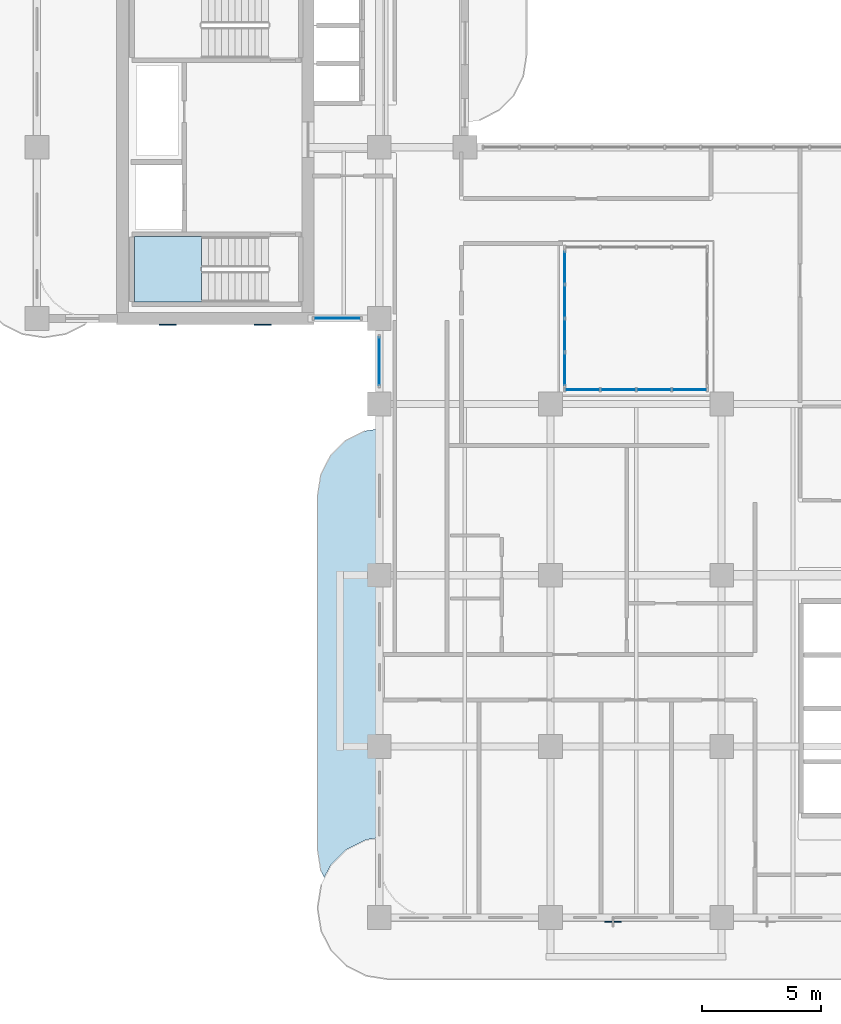
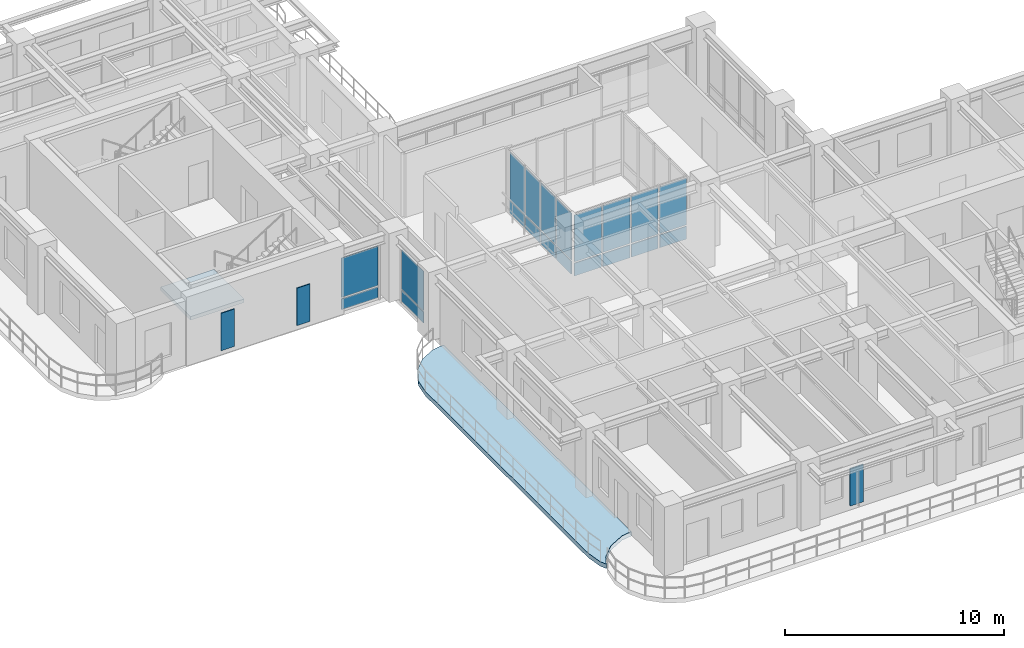
# One storey, part 7 of 21: 23 plates, 2 slabs, 5 elements without a shape of their own.
"""IFC4 building model written with IfcOpenShell, lengths in metres."""

from ifc_helpers import new_model, si_unit, derived_unit, direction, frame, origin, origin_2d, place, context, subcontext, project, spatial, polyline, rectangle, outline, extrude, source, transform, mapped, material, layer, layer_set, type_object, type_shapes, element, aggregate, save


model = new_model("IFC4")

# Units and contexts
model_context = context("Model", 3, precision=1e-05, world=origin(), true_north=direction((0.0, 1.0)))
body_context = subcontext(model_context, "Body", "Model", "MODEL_VIEW")
ifc_project = project(units=[si_unit("LENGTHUNIT", "METRE"), si_unit("AREAUNIT", "SQUARE_METRE"), si_unit("VOLUMEUNIT", "CUBIC_METRE"), si_unit("PLANEANGLEUNIT", "RADIAN"), si_unit("MASSUNIT", "GRAM", prefix="KILO"), si_unit("THERMODYNAMICTEMPERATUREUNIT", "KELVIN"), si_unit("POWERUNIT", "WATT"), derived_unit("THERMALTRANSMITTANCEUNIT", [(si_unit("POWERUNIT", "WATT"), 1), (si_unit("AREAUNIT", "SQUARE_METRE"), -1), (si_unit("THERMODYNAMICTEMPERATUREUNIT", "KELVIN"), -1)])], contexts=[model_context])

# Site, building, storey
site_placement = place(None, origin())
site = spatial("IfcSite", under=ifc_project, at=site_placement, CompositionType="ELEMENT")
building_placement = place(site_placement, origin())
building = spatial("IfcBuilding", under=site, at=building_placement, Name="Zahravan Archway Hotel and Residences", CompositionType="ELEMENT")
storey_placement = place(building_placement, frame((0.0, 0.0, 169.550048828125)))
storey = spatial("IfcBuildingStorey", under=building, at=storey_placement, Name="L42", CompositionType="ELEMENT", Elevation=169.550048828125)

# Slab
ifc_material_1 = material(Name="Concrete C45/55", Category="concrete")
ifc_layer_1 = layer(ifc_material_1, 0.25, Name="Concrete C45/55", Category="concrete")
ifc_layer_set_1 = layer_set([ifc_layer_1], Name="Concrete C45/55")
slab_type_1 = type_object("IfcSlabType", Name="SLB-BALC-250", PredefinedType="FLOOR", material=ifc_layer_set_1)
slab_1_placement = place(storey_placement, frame((0.0, 0.0, -0.25)))
element("IfcSlab", 1, at=slab_1_placement, inside=storey, type_object=slab_type_1, Name="L42 Wing A West Rounded Balcony Band", PredefinedType="FLOOR", context=body_context, shape_type="SweptSolid", body=[
    extrude(outline(polyline([(11.939453125, 1.96923828125), (11.800048828125, 2.85009765625), (11.800048828125, 17.75), (11.939453125, 18.630615234375), (12.34423828125, 19.42529296875), (12.974853515625, 20.0556640625), (13.769287109375, 20.46044921875), (14.3798828125, 20.55712890625), (14.3798828125, 3.361328125), (14.37890625, 3.361328125), (14.376953125, 3.361083984375), (13.835205078125, 3.275390625), (13.833251953125, 3.27490234375), (13.831298828125, 3.2744140625), (13.829345703125, 3.2734375), (13.0068359375, 2.8544921875), (13.005126953125, 2.853515625), (13.00341796875, 2.85205078125), (13.001953125, 2.8505859375), (12.349365234375, 2.197998046875), (12.347900390625, 2.196533203125), (12.3466796875, 2.19482421875), (12.345703125, 2.193115234375), (12.08544921875, 1.6826171875), (11.939453125, 1.96923828125)])), origin(), (0.0, 0.0, 1.0), 0.25),
])

# Stair, slab
ifc_material_2 = material(Name="Concrete C50/60", Category="concrete")
stair_type = type_object("IfcStairType", Name="STR-CORE-1300", PredefinedType="HALF_TURN_STAIR", material=ifc_material_2)
stair_placement = place(storey_placement, origin())
stair = element("IfcStair", 2, at=stair_placement, inside=storey, type_object=stair_type, Name="L42 Core B Exit Stair 1", PredefinedType="HALF_TURN_STAIR")
ifc_layer_2 = layer(ifc_material_2, 0.199951171875, Name="Concrete C50/60", Category="concrete")
ifc_layer_set_2 = layer_set([ifc_layer_2], Name="Concrete C50/60")
slab_type_2 = type_object("IfcSlabType", Name="SLB-LND-200", PredefinedType="LANDING", material=ifc_layer_set_2)
slab_2_placement = place(storey_placement, frame((0.0, 0.0, 1.724853515625)))
slab_2 = element("IfcSlab", 3, at=slab_2_placement, type_object=slab_type_2, Name="ST-B1 landing 1", PredefinedType="LANDING", context=body_context, shape_type="SweptSolid", body=[
    extrude(outline(polyline([(6.929931640625, 28.639892578125), (4.10009765625, 28.639892578125), (4.10009765625, 25.89990234375), (6.929931640625, 25.89990234375), (6.929931640625, 28.639892578125)])), origin(), (0.0, 0.0, 1.0), 0.2001953125),
])
aggregate(stair, [slab_2])

# Plates
ifc_material_3 = material(Name="Perforated Cast Bronze Jali Lattice")
ifc_layer_3 = layer(ifc_material_3, 0.044921875, Name="Perforated Cast Bronze Jali Lattice")
ifc_layer_set_3 = layer_set([ifc_layer_3], Name="Perforated Cast Bronze Jali Lattice")
plate_type_1 = type_object("IfcPlateType", Name="PLT-JALI-BAY", PredefinedType="USERDEFINED", material=ifc_layer_set_3)
shared_shape_1 = source(origin(), body_context, "Body", "SweptSolid", [
    extrude(rectangle(XDim=0.699951171875, YDim=0.044921875, at=origin_2d()), origin(), (0.0, 0.0, 1.0), 2.10009765625),
])
type_shapes(plate_type_1, [shared_shape_1])
for number, where, z_axis, x_axis, name in (
    (4, (5.5, 24.931884765625, 0.25), (0.0, 0.0, 1.0), (1.0, 0.0, 0.0), "L42 Core B South Mughal Jali Screen 1"),
    (5, (9.5, 24.931884765625, 0.25), (0.0, 0.0, 1.0), (1.0, 0.0, 0.0), "L42 Core B South Mughal Jali Screen 2"),
    (6, (24.22802734375, -0.177978515625, 0.25), (0.0, 0.0, 1.0), (1.0, 0.0, 0.0), "L42 Perforated Bronze Jali Pier Screen 01"),
):
    element("IfcPlate", number, at=place(storey_placement, frame(where, z_axis=z_axis, x_axis=x_axis)), inside=storey, type_object=plate_type_1, Name=name, ObjectType="SCREEN", PredefinedType="USERDEFINED", context=body_context, shape_type="MappedRepresentation", body=[
        mapped(shared_shape_1, transform((0.0, 0.0, 0.0), scale=1.0)),
    ])

# Curtain wall, plates
ifc_material_4 = material(Name="Bronze-Anodized Unitised Aluminium & Low-E Glass", Category="aluminium")
ifc_layer_4 = layer(ifc_material_4, 0.179931640625, Name="Bronze-Anodized Unitised Aluminium & Low-E Glass", Category="aluminium")
ifc_layer_set_4 = layer_set([ifc_layer_4], Name="Bronze-Anodized Unitised Aluminium & Low-E Glass")
curtain_wall_type = type_object("IfcCurtainWallType", Name="CW-ATR-GLAZ", PredefinedType="NOTDEFINED", material=ifc_layer_set_4)
curtain_wall_1_placement = place(storey_placement, origin())
curtain_wall_1 = element("IfcCurtainWall", 7, at=curtain_wall_1_placement, inside=storey, type_object=curtain_wall_type, Name="L42 Curtain Wall CW-ATR-L42-S-1", PredefinedType="NOTDEFINED")
ifc_material_5 = material(Name="Insulated Terracotta Spandrel Panel", Category="masonry")
ifc_layer_5 = layer(ifc_material_5, 0.0400390625, Name="Insulated Terracotta Spandrel Panel", Category="masonry")
ifc_layer_set_5 = layer_set([ifc_layer_5], Name="Insulated Terracotta Spandrel Panel")
plate_type_2 = type_object("IfcPlateType", Name="CWP-SPN-40", PredefinedType="SHEET", material=ifc_layer_set_5)
shared_shape_2 = source(origin(), body_context, "Body", "SweptSolid", [
    extrude(rectangle(XDim=1.419921875, YDim=0.0400390625, at=origin_2d()), origin(), (0.0, 0.0, 1.0), 0.7099609375),
])
plate_1_placement = place(storey_placement, frame((22.949951171875, 22.199951171875, 0.099853515625), z_axis=(0.0, 0.0, 1.0), x_axis=(1.0, 0.0, 0.0)))
plate_1 = element("IfcPlate", 8, at=plate_1_placement, type_object=plate_type_2, Name="CW-ATR-L42-S-1 Spandrel Panel 0", PredefinedType="SHEET", context=body_context, shape_type="MappedRepresentation", body=[
    mapped(shared_shape_2, transform((0.0, 0.0, 0.0), scale=1.0)),
])
plate_2_placement = place(storey_placement, frame((24.449951171875, 22.199951171875, 0.099853515625), z_axis=(0.0, 0.0, 1.0), x_axis=(1.0, 0.0, 0.0)))
plate_2 = element("IfcPlate", 9, at=plate_2_placement, type_object=plate_type_2, Name="CW-ATR-L42-S-1 Spandrel Panel 1", PredefinedType="SHEET", context=body_context, shape_type="MappedRepresentation", body=[
    mapped(shared_shape_2, transform((0.0, 0.0, 0.0), scale=1.0)),
])
plate_3_placement = place(storey_placement, frame((25.949951171875, 22.199951171875, 0.099853515625), z_axis=(0.0, 0.0, 1.0), x_axis=(1.0, 0.0, 0.0)))
plate_3 = element("IfcPlate", 10, at=plate_3_placement, type_object=plate_type_2, Name="CW-ATR-L42-S-1 Spandrel Panel 2", PredefinedType="SHEET", context=body_context, shape_type="MappedRepresentation", body=[
    mapped(shared_shape_2, transform((0.0, 0.0, 0.0), scale=1.0)),
])
plate_4_placement = place(storey_placement, frame((27.449951171875, 22.199951171875, 0.099853515625), z_axis=(0.0, 0.0, 1.0), x_axis=(1.0, 0.0, 0.0)))
plate_4 = element("IfcPlate", 11, at=plate_4_placement, type_object=plate_type_2, Name="CW-ATR-L42-S-1 Spandrel Panel 3", PredefinedType="SHEET", context=body_context, shape_type="MappedRepresentation", body=[
    mapped(shared_shape_2, transform((0.0, 0.0, 0.0), scale=1.0)),
])

curtain_wall_2_placement = place(storey_placement, origin())
curtain_wall_2 = element("IfcCurtainWall", 12, at=curtain_wall_2_placement, inside=storey, type_object=curtain_wall_type, Name="L42 Curtain Wall CW-ATR-L42-W-1", PredefinedType="NOTDEFINED")
shared_shape_3 = source(origin(), body_context, "Body", "SweptSolid", [
    extrude(rectangle(XDim=1.344970703125, YDim=0.0400390625, at=origin_2d()), origin(), (0.0, 0.0, 1.0), 0.7099609375),
])
plate_5_placement = place(storey_placement, frame((22.199951171875, 23.0625, 0.099853515625), z_axis=(0.0, 0.0, 1.0), x_axis=(0.0, 1.0, 0.0)))
plate_5 = element("IfcPlate", 13, at=plate_5_placement, type_object=plate_type_2, Name="CW-ATR-L42-W-1 Spandrel Panel 0", PredefinedType="SHEET", context=body_context, shape_type="MappedRepresentation", body=[
    mapped(shared_shape_3, transform((0.0, 0.0, 0.0), scale=1.0)),
])
plate_6_placement = place(storey_placement, frame((22.199951171875, 24.487548828125, 0.099853515625), z_axis=(0.0, 0.0, 1.0), x_axis=(0.0, 1.0, 0.0)))
plate_6 = element("IfcPlate", 14, at=plate_6_placement, type_object=plate_type_2, Name="CW-ATR-L42-W-1 Spandrel Panel 1", PredefinedType="SHEET", context=body_context, shape_type="MappedRepresentation", body=[
    mapped(shared_shape_3, transform((0.0, 0.0, 0.0), scale=1.0)),
])
plate_7_placement = place(storey_placement, frame((22.199951171875, 25.91259765625, 0.099853515625), z_axis=(0.0, 0.0, 1.0), x_axis=(0.0, 1.0, 0.0)))
plate_7 = element("IfcPlate", 15, at=plate_7_placement, type_object=plate_type_2, Name="CW-ATR-L42-W-1 Spandrel Panel 2", PredefinedType="SHEET", context=body_context, shape_type="MappedRepresentation", body=[
    mapped(shared_shape_3, transform((0.0, 0.0, 0.0), scale=1.0)),
])
plate_8_placement = place(storey_placement, frame((22.199951171875, 27.33740234375, 0.099853515625), z_axis=(0.0, 0.0, 1.0), x_axis=(0.0, 1.0, 0.0)))
plate_8 = element("IfcPlate", 16, at=plate_8_placement, type_object=plate_type_2, Name="CW-ATR-L42-W-1 Spandrel Panel 3", PredefinedType="SHEET", context=body_context, shape_type="MappedRepresentation", body=[
    mapped(shared_shape_3, transform((0.0, 0.0, 0.0), scale=1.0)),
])

curtain_wall_3_placement = place(storey_placement, origin())
curtain_wall_3 = element("IfcCurtainWall", 17, at=curtain_wall_3_placement, inside=storey, type_object=curtain_wall_type, Name="L42 Curtain Wall CW-L42-WA-WLU-1", PredefinedType="NOTDEFINED")
shared_shape_4 = source(origin(), body_context, "Body", "SweptSolid", [
    extrude(rectangle(XDim=2.0, YDim=0.0400390625, at=origin_2d()), origin(), (0.0, 0.0, 1.0), 0.600341796875),
])
plate_9_placement = place(storey_placement, frame((14.39990234375, 23.39990234375, 0.10009765625), z_axis=(0.0, 0.0, 1.0), x_axis=(0.0, 1.0, 0.0)))
plate_9 = element("IfcPlate", 18, at=plate_9_placement, type_object=plate_type_2, Name="CW-L42-WA-WLU-1 Spandrel Panel 0", PredefinedType="SHEET", context=body_context, shape_type="MappedRepresentation", body=[
    mapped(shared_shape_4, transform((0.0, 0.0, 0.0), scale=1.0)),
])
ifc_material_6 = material(Name="Double-Silver Low-E Insulated Vision Glass", Category="glass")
ifc_layer_6 = layer(ifc_material_6, 0.028076171875, Name="Double-Silver Low-E Insulated Vision Glass", Category="glass")
ifc_layer_set_6 = layer_set([ifc_layer_6], Name="Double-Silver Low-E Insulated Vision Glass")
plate_type_3 = type_object("IfcPlateType", Name="CWP-GLZ-28", PredefinedType="CURTAIN_PANEL", material=ifc_layer_set_6)
shared_shape_5 = source(origin(), body_context, "Body", "SweptSolid", [
    extrude(rectangle(XDim=2.0, YDim=0.028076171875, at=origin_2d()), origin(), (0.0, 0.0, 1.0), 2.20458984375),
])
plate_10_placement = place(storey_placement, frame((14.39990234375, 23.39990234375, 0.7802734375), z_axis=(0.0, 0.0, 1.0), x_axis=(0.0, 1.0, 0.0)))
plate_10 = element("IfcPlate", 19, at=plate_10_placement, type_object=plate_type_3, Name="CW-L42-WA-WLU-1 Low-E Vision Panel 0", PredefinedType="CURTAIN_PANEL", context=body_context, shape_type="MappedRepresentation", body=[
    mapped(shared_shape_5, transform((0.0, 0.0, 0.0), scale=1.0)),
])
aggregate(curtain_wall_3, [plate_9, plate_10])

curtain_wall_4_placement = place(storey_placement, origin())
curtain_wall_4 = element("IfcCurtainWall", 20, at=curtain_wall_4_placement, inside=storey, type_object=curtain_wall_type, Name="L42 Curtain Wall CW-L42-WB-SE-1", PredefinedType="NOTDEFINED")
shared_shape_6 = source(origin(), body_context, "Body", "SweptSolid", [
    extrude(rectangle(XDim=1.93994140625, YDim=0.0400390625, at=origin_2d()), origin(), (0.0, 0.0, 1.0), 0.600341796875),
])
plate_11_placement = place(storey_placement, frame((12.6298828125, 25.199951171875, 0.10009765625), z_axis=(0.0, 0.0, 1.0), x_axis=(1.0, 0.0, 0.0)))
plate_11 = element("IfcPlate", 21, at=plate_11_placement, type_object=plate_type_2, Name="CW-L42-WB-SE-1 Spandrel Panel 0", PredefinedType="SHEET", context=body_context, shape_type="MappedRepresentation", body=[
    mapped(shared_shape_6, transform((0.0, 0.0, 0.0), scale=1.0)),
])
shared_shape_7 = source(origin(), body_context, "Body", "SweptSolid", [
    extrude(rectangle(XDim=1.93994140625, YDim=0.028076171875, at=origin_2d()), origin(), (0.0, 0.0, 1.0), 2.20458984375),
])
plate_12_placement = place(storey_placement, frame((12.6298828125, 25.199951171875, 0.7802734375), z_axis=(0.0, 0.0, 1.0), x_axis=(1.0, 0.0, 0.0)))
plate_12 = element("IfcPlate", 22, at=plate_12_placement, type_object=plate_type_3, Name="CW-L42-WB-SE-1 Low-E Vision Panel 0", PredefinedType="CURTAIN_PANEL", context=body_context, shape_type="MappedRepresentation", body=[
    mapped(shared_shape_7, transform((0.0, 0.0, 0.0), scale=1.0)),
])
aggregate(curtain_wall_4, [plate_11, plate_12])

# Plate
shared_shape_8 = source(origin(), body_context, "Body", "SweptSolid", [
    extrude(rectangle(XDim=1.419921875, YDim=0.028076171875, at=origin_2d()), origin(), (0.0, 0.0, 1.0), 2.610107421875),
])
plate_13_placement = place(storey_placement, frame((22.949951171875, 22.199951171875, 0.89013671875), z_axis=(0.0, 0.0, 1.0), x_axis=(1.0, 0.0, 0.0)))
plate_13 = element("IfcPlate", 23, at=plate_13_placement, type_object=plate_type_3, Name="CW-ATR-L42-S-1 Low-E Vision Panel 0", PredefinedType="CURTAIN_PANEL", context=body_context, shape_type="MappedRepresentation", body=[
    mapped(shared_shape_8, transform((0.0, 0.0, 0.0), scale=1.0)),
])

plate_14_placement = place(storey_placement, frame((24.449951171875, 22.199951171875, 0.89013671875), z_axis=(0.0, 0.0, 1.0), x_axis=(1.0, 0.0, 0.0)))
plate_14 = element("IfcPlate", 24, at=plate_14_placement, type_object=plate_type_3, Name="CW-ATR-L42-S-1 Low-E Vision Panel 1", PredefinedType="CURTAIN_PANEL", context=body_context, shape_type="MappedRepresentation", body=[
    mapped(shared_shape_8, transform((0.0, 0.0, 0.0), scale=1.0)),
])

plate_15_placement = place(storey_placement, frame((25.949951171875, 22.199951171875, 0.89013671875), z_axis=(0.0, 0.0, 1.0), x_axis=(1.0, 0.0, 0.0)))
plate_15 = element("IfcPlate", 25, at=plate_15_placement, type_object=plate_type_3, Name="CW-ATR-L42-S-1 Low-E Vision Panel 2", PredefinedType="CURTAIN_PANEL", context=body_context, shape_type="MappedRepresentation", body=[
    mapped(shared_shape_8, transform((0.0, 0.0, 0.0), scale=1.0)),
])

plate_16_placement = place(storey_placement, frame((27.449951171875, 22.199951171875, 0.89013671875), z_axis=(0.0, 0.0, 1.0), x_axis=(1.0, 0.0, 0.0)))
plate_16 = element("IfcPlate", 26, at=plate_16_placement, type_object=plate_type_3, Name="CW-ATR-L42-S-1 Low-E Vision Panel 3", PredefinedType="CURTAIN_PANEL", context=body_context, shape_type="MappedRepresentation", body=[
    mapped(shared_shape_8, transform((0.0, 0.0, 0.0), scale=1.0)),
])

aggregate(curtain_wall_1, [plate_1, plate_13, plate_2, plate_14, plate_3, plate_15, plate_4, plate_16])

shared_shape_9 = source(origin(), body_context, "Body", "SweptSolid", [
    extrude(rectangle(XDim=1.344970703125, YDim=0.028076171875, at=origin_2d()), origin(), (0.0, 0.0, 1.0), 2.610107421875),
])
plate_17_placement = place(storey_placement, frame((22.199951171875, 23.0625, 0.89013671875), z_axis=(0.0, 0.0, 1.0), x_axis=(0.0, 1.0, 0.0)))
plate_17 = element("IfcPlate", 27, at=plate_17_placement, type_object=plate_type_3, Name="CW-ATR-L42-W-1 Low-E Vision Panel 0", PredefinedType="CURTAIN_PANEL", context=body_context, shape_type="MappedRepresentation", body=[
    mapped(shared_shape_9, transform((0.0, 0.0, 0.0), scale=1.0)),
])

plate_18_placement = place(storey_placement, frame((22.199951171875, 24.487548828125, 0.89013671875), z_axis=(0.0, 0.0, 1.0), x_axis=(0.0, 1.0, 0.0)))
plate_18 = element("IfcPlate", 28, at=plate_18_placement, type_object=plate_type_3, Name="CW-ATR-L42-W-1 Low-E Vision Panel 1", PredefinedType="CURTAIN_PANEL", context=body_context, shape_type="MappedRepresentation", body=[
    mapped(shared_shape_9, transform((0.0, 0.0, 0.0), scale=1.0)),
])

plate_19_placement = place(storey_placement, frame((22.199951171875, 25.91259765625, 0.89013671875), z_axis=(0.0, 0.0, 1.0), x_axis=(0.0, 1.0, 0.0)))
plate_19 = element("IfcPlate", 29, at=plate_19_placement, type_object=plate_type_3, Name="CW-ATR-L42-W-1 Low-E Vision Panel 2", PredefinedType="CURTAIN_PANEL", context=body_context, shape_type="MappedRepresentation", body=[
    mapped(shared_shape_9, transform((0.0, 0.0, 0.0), scale=1.0)),
])

plate_20_placement = place(storey_placement, frame((22.199951171875, 27.33740234375, 0.89013671875), z_axis=(0.0, 0.0, 1.0), x_axis=(0.0, 1.0, 0.0)))
plate_20 = element("IfcPlate", 30, at=plate_20_placement, type_object=plate_type_3, Name="CW-ATR-L42-W-1 Low-E Vision Panel 3", PredefinedType="CURTAIN_PANEL", context=body_context, shape_type="MappedRepresentation", body=[
    mapped(shared_shape_9, transform((0.0, 0.0, 0.0), scale=1.0)),
])

aggregate(curtain_wall_2, [plate_5, plate_17, plate_6, plate_18, plate_7, plate_19, plate_8, plate_20])

save(model, "model.ifc")
